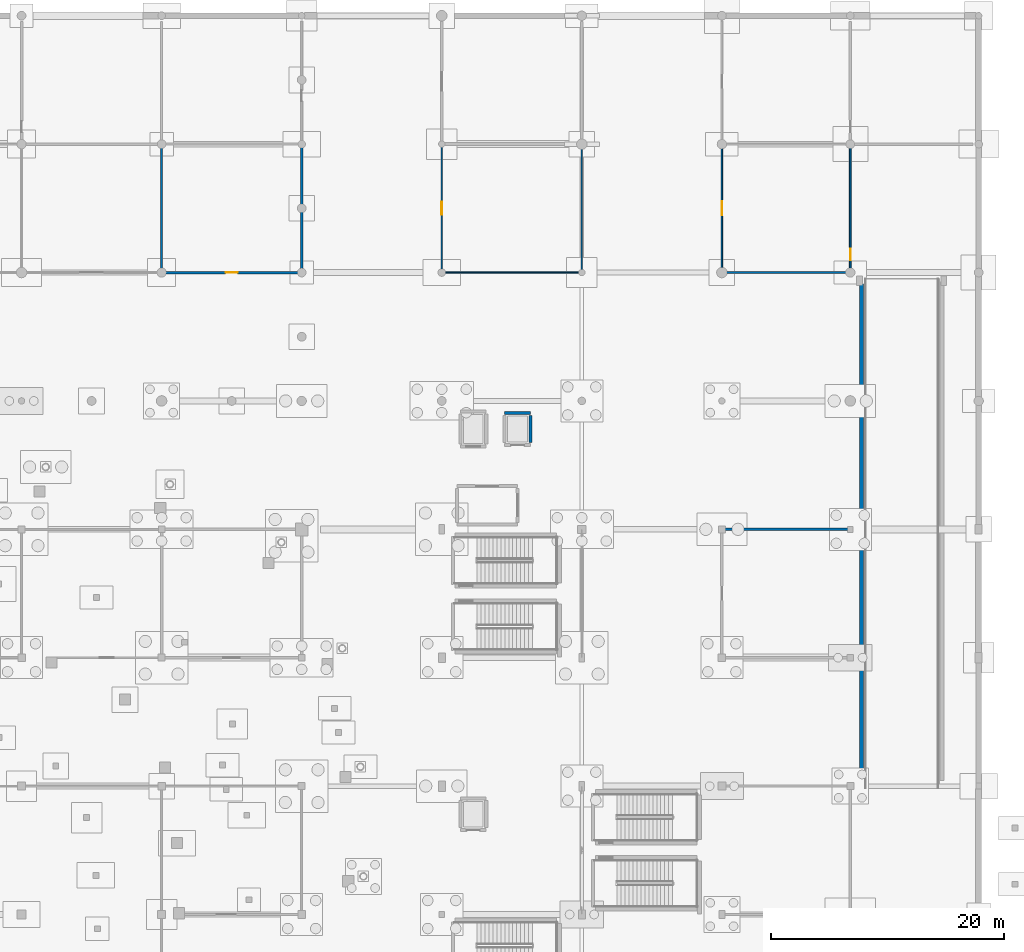
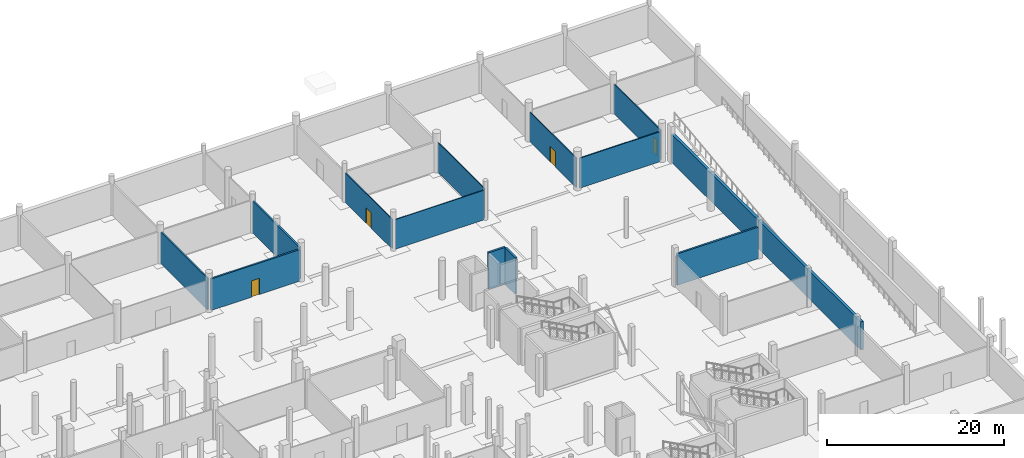
# One storey, part 40 of 60: 13 walls, 4 doors, 4 openings.
"""IFC4 building model written with IfcOpenShell, lengths in metres."""

from ifc_helpers import new_model, si_unit, direction, frame, frame_2d, origin, place, context, subcontext, project, spatial, rectangle, extrude, material, layer, layer_set, type_object, element, fill, save


model = new_model("IFC4")

# Units and contexts
model_context = context("Model", 3, precision=1e-05, world=origin(), true_north=direction((0.0, 1.0)))
body_context = subcontext(model_context, "Body", "Model", "MODEL_VIEW")
ifc_project = project(units=[si_unit("LENGTHUNIT", "METRE"), si_unit("AREAUNIT", "SQUARE_METRE"), si_unit("VOLUMEUNIT", "CUBIC_METRE"), si_unit("PLANEANGLEUNIT", "RADIAN"), si_unit("MASSUNIT", "GRAM", prefix="KILO")], contexts=[model_context])

# Site, building, storey
site_placement = place(None, origin())
site = spatial("IfcSite", under=ifc_project, at=site_placement, CompositionType="ELEMENT")
building_placement = place(site_placement, origin())
building = spatial("IfcBuilding", under=site, at=building_placement, Name="Luwafu Chhajja Arena", CompositionType="ELEMENT")
storey_placement = place(building_placement, frame((0.0, 0.0, -5.39990234375)))
storey = spatial("IfcBuildingStorey", under=building, at=storey_placement, Name="B1", CompositionType="ELEMENT", Elevation=-5.39990234375)

# Walls
ifc_material_1 = material(Name="Concrete blockwork masonry", Category="masonry")
ifc_layer_1 = layer(ifc_material_1, 0.239990234375, Name="Concrete blockwork masonry")
ifc_layer_set_1 = layer_set([ifc_layer_1], Name="Concrete blockwork masonry")
wall_type_1 = type_object("IfcWallType", Name="Compartment Masonry Partition 240", PredefinedType="PARTITIONING", material=ifc_layer_set_1)
wall_1_placement = place(storey_placement, frame((176.219970703125, 88.0, 0.0), z_axis=(0.0, 0.0, 1.0), x_axis=(1.0, 0.0, 0.0)))
element("IfcWall", 1, at=wall_1_placement, inside=storey, type_object=wall_type_1, Name="B1 Internal Partition 0092", PredefinedType="PARTITIONING", context=body_context, shape_type="SweptSolid", body=[
    extrude(rectangle(XDim=10.570068359375, YDim=0.239990234375, at=frame_2d((5.28515625, 0.0))), origin(), (0.0, 0.0, 1.0), 4.329833984375),
])
ifc_material_2 = material(Name="Lightweight blockwork partition", Category="masonry")
ifc_layer_2 = layer(ifc_material_2, 0.139892578125, Name="Lightweight blockwork partition")
ifc_layer_set_2 = layer_set([ifc_layer_2], Name="Lightweight blockwork partition")
wall_type_2 = type_object("IfcWallType", Name="Concourse Kiosk Partition 140", PredefinedType="PARTITIONING", material=ifc_layer_set_2)
wall_2_placement = place(storey_placement, frame((176.219970703125, 110.0, 0.0), z_axis=(0.0, 0.0, 1.0), x_axis=(1.0, 0.0, 0.0)))
element("IfcWall", 2, at=wall_2_placement, inside=storey, type_object=wall_type_2, Name="B1 Internal Partition 0093", PredefinedType="PARTITIONING", context=body_context, shape_type="SweptSolid", body=[
    extrude(rectangle(XDim=10.56005859375, YDim=0.139892578125, at=frame_2d((5.280029296875, 0.0))), origin(), (0.0, 0.0, 1.0), 4.1298828125),
])

# Wall, opening, door
wall_3_placement = place(storey_placement, frame((187.0, 110.219970703125, 0.0), z_axis=(0.0, 0.0, 1.0), x_axis=(0.0, 1.0, 0.0)))
wall_3 = element("IfcWall", 3, at=wall_3_placement, inside=storey, type_object=wall_type_2, Name="B1 Internal Partition 0137", PredefinedType="PARTITIONING", context=body_context, shape_type="SweptSolid", body=[
    extrude(rectangle(XDim=10.56005859375, YDim=0.139892578125, at=frame_2d((5.280029296875, 0.0))), origin(), (0.0, 0.0, 1.0), 4.079833984375),
])
opening_1_placement = place(wall_3_placement, frame((0.840087890625, 0.0, 0.0)))
opening_1 = element("IfcOpeningElement", 4, at=opening_1_placement, cuts=wall_3, Name="Opening DR-22", PredefinedType="OPENING", context=body_context, shape_type="SweptSolid", body=[
    extrude(rectangle(XDim=0.9599609375, YDim=2.14990234375, at=frame_2d((0.47998046875, 1.074951171875))), frame((0.0, 0.079833984375, 0.0), z_axis=(0.0, -1.0, 0.0), x_axis=(1.0, 0.0, 0.0)), (0.0, 0.0, 1.0), 0.159912109375),
])
ifc_material_3 = material(Name="Hardwood flush office door", Category="wood")
door_type_1 = type_object("IfcDoorType", Name="DR-22", OperationType="NOTDEFINED", PredefinedType="DOOR", material=ifc_material_3)
door_1_placement = place(opening_1_placement, origin())
door_1 = element("IfcDoor", 5, at=door_1_placement, inside=storey, type_object=door_type_1, Name="B1 Interior Door B1-D080", OperationType="SINGLE_SWING_RIGHT", OverallHeight=2.14990234375, OverallWidth=0.9599609375, PredefinedType="DOOR", context=body_context, shape_type="SweptSolid", body=[
    extrude(rectangle(XDim=0.9599609375, YDim=2.14990234375, at=frame_2d((0.47998046875, 1.074951171875))), frame((0.0, 0.02490234375, 0.0), z_axis=(0.0, -1.0, 0.0), x_axis=(1.0, 0.0, 0.0)), (0.0, 0.0, 1.0), 0.050048828125),
])
fill(opening_1, door_1)

# Walls
ifc_material_4 = material(Name="Gypsum plasterboard partition")
ifc_layer_3 = layer(ifc_material_4, 0.10009765625, Name="Gypsum plasterboard partition")
ifc_layer_set_3 = layer_set([ifc_layer_3], Name="Gypsum plasterboard partition")
wall_type_3 = type_object("IfcWallType", Name="Drywall Lining Partition 100", PredefinedType="PARTITIONING", material=ifc_layer_set_3)
wall_4_placement = place(storey_placement, frame((152.219970703125, 110.0, 0.0), z_axis=(0.0, 0.0, 1.0), x_axis=(1.0, 0.0, 0.0)))
element("IfcWall", 6, at=wall_4_placement, inside=storey, type_object=wall_type_3, Name="B1 Internal Partition 0080", PredefinedType="PARTITIONING", context=body_context, shape_type="SweptSolid", body=[
    extrude(rectangle(XDim=11.56005859375, YDim=0.10009765625, at=frame_2d((5.780029296875, 0.0))), origin(), (0.0, 0.0, 1.0), 4.079833984375),
])
wall_5_placement = place(storey_placement, frame((164.0, 110.219970703125, 0.0), z_axis=(0.0, 0.0, 1.0), x_axis=(0.0, 1.0, 0.0)))
element("IfcWall", 7, at=wall_5_placement, inside=storey, type_object=wall_type_3, Name="B1 Internal Partition 0081", PredefinedType="PARTITIONING", context=body_context, shape_type="SweptSolid", body=[
    extrude(rectangle(XDim=10.56005859375, YDim=0.10009765625, at=frame_2d((5.280029296875, 0.0))), origin(), (0.0, 0.0, 1.0), 4.1298828125),
])
ifc_layer_4 = layer(ifc_material_1, 0.179931640625, Name="Concrete blockwork masonry")
ifc_layer_set_4 = layer_set([ifc_layer_4], Name="Concrete blockwork masonry")
wall_type_4 = type_object("IfcWallType", Name="Hospitality Suite Partition 180", PredefinedType="PARTITIONING", material=ifc_layer_set_4)
wall_6_placement = place(storey_placement, frame((128.0, 110.219970703125, 0.0), z_axis=(0.0, 0.0, 1.0), x_axis=(0.0, 1.0, 0.0)))
element("IfcWall", 8, at=wall_6_placement, inside=storey, type_object=wall_type_4, Name="B1 Internal Partition 0128", PredefinedType="PARTITIONING", context=body_context, shape_type="SweptSolid", body=[
    extrude(rectangle(XDim=10.56005859375, YDim=0.179931640625, at=frame_2d((5.280029296875, 0.0))), origin(), (0.0, 0.0, 1.0), 4.346435546875),
])

# Wall, opening, door
ifc_material_5 = material(Name="Acoustic metal-stud gypsum board")
ifc_layer_5 = layer(ifc_material_5, 0.1201171875, Name="Acoustic metal-stud gypsum board")
ifc_layer_set_5 = layer_set([ifc_layer_5], Name="Acoustic metal-stud gypsum board")
wall_type_5 = type_object("IfcWallType", Name="Internal Room Partition 120", PredefinedType="PARTITIONING", material=ifc_layer_set_5)
wall_7_placement = place(storey_placement, frame((152.0, 110.219970703125, 0.0), z_axis=(0.0, 0.0, 1.0), x_axis=(0.0, 1.0, 0.0)))
wall_7 = element("IfcWall", 9, at=wall_7_placement, inside=storey, type_object=wall_type_5, Name="B1 Internal Partition 0076", PredefinedType="PARTITIONING", context=body_context, shape_type="SweptSolid", body=[
    extrude(rectangle(XDim=10.56005859375, YDim=0.1201171875, at=frame_2d((5.280029296875, 0.0))), origin(), (0.0, 0.0, 1.0), 4.079833984375),
])
opening_2_placement = place(wall_7_placement, frame((4.72998046875, 0.0, 0.0)))
opening_2 = element("IfcOpeningElement", 10, at=opening_2_placement, cuts=wall_7, Name="Opening DR-20", PredefinedType="OPENING", context=body_context, shape_type="SweptSolid", body=[
    extrude(rectangle(XDim=1.10009765625, YDim=2.10009765625, at=frame_2d((0.550048828125, 1.050048828125))), frame((0.0, 0.070068359375, 0.0), z_axis=(0.0, -1.0, 0.0), x_axis=(1.0, 0.0, 0.0)), (0.0, 0.0, 1.0), 0.14013671875),
])
ifc_material_6 = material(Name="Hygienic laminate single leaf")
door_type_2 = type_object("IfcDoorType", Name="DR-20", OperationType="NOTDEFINED", PredefinedType="DOOR", material=ifc_material_6)
door_2_placement = place(opening_2_placement, origin())
door_2 = element("IfcDoor", 11, at=door_2_placement, inside=storey, type_object=door_type_2, Name="B1 Interior Door B1-D062", OperationType="SINGLE_SWING_LEFT", OverallHeight=2.10009765625, OverallWidth=1.10009765625, PredefinedType="DOOR", context=body_context, shape_type="SweptSolid", body=[
    extrude(rectangle(XDim=1.10009765625, YDim=2.10009765625, at=frame_2d((0.550048828125, 1.050048828125))), frame((0.0, 0.02490234375, 0.0), z_axis=(0.0, -1.0, 0.0), x_axis=(1.0, 0.0, 0.0)), (0.0, 0.0, 1.0), 0.050048828125),
])
fill(opening_2, door_2)

wall_8_placement = place(storey_placement, frame((176.0, 110.219970703125, 0.0), z_axis=(0.0, 0.0, 1.0), x_axis=(0.0, 1.0, 0.0)))
wall_8 = element("IfcWall", 12, at=wall_8_placement, inside=storey, type_object=wall_type_5, Name="B1 Internal Partition 0086", PredefinedType="PARTITIONING", context=body_context, shape_type="SweptSolid", body=[
    extrude(rectangle(XDim=10.56005859375, YDim=0.1201171875, at=frame_2d((5.280029296875, 0.0))), origin(), (0.0, 0.0, 1.0), 4.079833984375),
])
opening_3_placement = place(wall_8_placement, frame((4.68994140625, 0.0, 0.0)))
opening_3 = element("IfcOpeningElement", 13, at=opening_3_placement, cuts=wall_8, Name="Opening DR-21", PredefinedType="OPENING", context=body_context, shape_type="SweptSolid", body=[
    extrude(rectangle(XDim=1.179931640625, YDim=2.14990234375, at=frame_2d((0.58984375, 1.074951171875))), frame((0.0, 0.070068359375, 0.0), z_axis=(0.0, -1.0, 0.0), x_axis=(1.0, 0.0, 0.0)), (0.0, 0.0, 1.0), 0.14013671875),
])
door_type_3 = type_object("IfcDoorType", Name="DR-21", OperationType="NOTDEFINED", PredefinedType="DOOR", material=ifc_material_6)
door_3_placement = place(opening_3_placement, origin())
door_3 = element("IfcDoor", 14, at=door_3_placement, inside=storey, type_object=door_type_3, Name="B1 Interior Door B1-D068", OperationType="SINGLE_SWING_LEFT", OverallHeight=2.14990234375, OverallWidth=1.179931640625, PredefinedType="DOOR", context=body_context, shape_type="SweptSolid", body=[
    extrude(rectangle(XDim=1.179931640625, YDim=2.14990234375, at=frame_2d((0.58984375, 1.074951171875))), frame((0.0, 0.02490234375, 0.0), z_axis=(0.0, -1.0, 0.0), x_axis=(1.0, 0.0, 0.0)), (0.0, 0.0, 1.0), 0.050048828125),
])
fill(opening_3, door_3)

# Walls
ifc_material_7 = material(Name="Concrete C35/45", Category="concrete")
ifc_layer_6 = layer(ifc_material_7, 0.260009765625, Name="Concrete C35/45")
ifc_layer_set_6 = layer_set([ifc_layer_6], Name="Concrete C35/45")
wall_type_6 = type_object("IfcWallType", Name="Lift and Riser Shaft Wall 260", PredefinedType="SOLIDWALL", material=ifc_layer_set_6)
wall_9_placement = place(storey_placement, frame((157.389892578125, 97.9599609375, 0.0), z_axis=(0.0, 0.0, 1.0), x_axis=(1.0, 0.0, 0.0)))
element("IfcWall", 15, at=wall_9_placement, inside=storey, type_object=wall_type_6, Name="B1 Lift LF-08 Shaft Wall N", PredefinedType="SOLIDWALL", context=body_context, shape_type="SweptSolid", body=[
    extrude(rectangle(XDim=2.22021484375, YDim=0.260009765625, at=frame_2d((1.110107421875, 0.0))), origin(), (0.0, 0.0, 1.0), 5.039794921875),
])
wall_10_placement = place(storey_placement, frame((159.610107421875, 95.43994140625, 0.0), z_axis=(0.0, 0.0, 1.0), x_axis=(0.0, 1.0, 0.0)))
element("IfcWall", 16, at=wall_10_placement, inside=storey, type_object=wall_type_6, Name="B1 Lift LF-08 Shaft Wall E", PredefinedType="SOLIDWALL", context=body_context, shape_type="SweptSolid", body=[
    extrude(rectangle(XDim=2.320068359375, YDim=0.260009765625, at=frame_2d((1.16015625, 0.0))), origin(), (0.0, 0.0, 1.0), 5.039794921875),
])

# Wall, opening, door
ifc_layer_7 = layer(ifc_material_1, 0.219970703125, Name="Concrete blockwork masonry")
ifc_layer_set_7 = layer_set([ifc_layer_7], Name="Concrete blockwork masonry")
wall_type_7 = type_object("IfcWallType", Name="Protected Corridor Partition 220", PredefinedType="PARTITIONING", material=ifc_layer_set_7)
wall_11_placement = place(storey_placement, frame((128.219970703125, 110.0, 0.0), z_axis=(0.0, 0.0, 1.0), x_axis=(1.0, 0.0, 0.0)))
wall_11 = element("IfcWall", 17, at=wall_11_placement, inside=storey, type_object=wall_type_7, Name="B1 Internal Partition 0071", PredefinedType="PARTITIONING", context=body_context, shape_type="SweptSolid", body=[
    extrude(rectangle(XDim=11.56005859375, YDim=0.219970703125, at=frame_2d((5.780029296875, 0.0))), origin(), (0.0, 0.0, 1.0), 4.346435546875),
])
opening_4_placement = place(wall_11_placement, frame((5.27001953125, 0.0, 0.0)))
opening_4 = element("IfcOpeningElement", 18, at=opening_4_placement, cuts=wall_11, Name="Opening DR-13", PredefinedType="OPENING", context=body_context, shape_type="SweptSolid", body=[
    extrude(rectangle(XDim=1.02001953125, YDim=2.25, at=frame_2d((0.510009765625, 1.125))), frame((0.0, 0.119873046875, 0.0), z_axis=(0.0, -1.0, 0.0), x_axis=(1.0, 0.0, 0.0)), (0.0, 0.0, 1.0), 0.239990234375),
])
ifc_material_8 = material(Name="Veneered hardwood acoustic leaf", Category="wood")
door_type_4 = type_object("IfcDoorType", Name="DR-13", OperationType="NOTDEFINED", PredefinedType="DOOR", material=ifc_material_8)
door_4_placement = place(opening_4_placement, origin())
door_4 = element("IfcDoor", 19, at=door_4_placement, inside=storey, type_object=door_type_4, Name="B1 Interior Door B1-D058", OperationType="SINGLE_SWING_RIGHT", OverallHeight=2.25, OverallWidth=1.02001953125, PredefinedType="DOOR", context=body_context, shape_type="SweptSolid", body=[
    extrude(rectangle(XDim=1.02001953125, YDim=2.25, at=frame_2d((0.510009765625, 1.125))), frame((0.0, 0.02490234375, 0.0), z_axis=(0.0, -1.0, 0.0), x_axis=(1.0, 0.0, 0.0)), (0.0, 0.0, 1.0), 0.050048828125),
])
fill(opening_4, door_4)

# Walls
wall_12_placement = place(storey_placement, frame((140.0, 110.219970703125, 0.0), z_axis=(0.0, 0.0, 1.0), x_axis=(0.0, 1.0, 0.0)))
element("IfcWall", 20, at=wall_12_placement, inside=storey, type_object=wall_type_7, Name="B1 Internal Partition 0072", PredefinedType="PARTITIONING", context=body_context, shape_type="SweptSolid", body=[
    extrude(rectangle(XDim=10.56005859375, YDim=0.219970703125, at=frame_2d((5.280029296875, 0.0))), origin(), (0.0, 0.0, 1.0), 4.40966796875),
])
ifc_material_9 = material(Name="Concrete C40/50", Category="concrete")
ifc_layer_8 = layer(ifc_material_9, 0.35009765625, Name="Concrete C40/50")
ifc_layer_set_8 = layer_set([ifc_layer_8], Name="Concrete C40/50")
wall_type_8 = type_object("IfcWallType", Name="RC Core Shear Wall 350", PredefinedType="SOLIDWALL", material=ifc_layer_set_8)
wall_13_placement = place(storey_placement, frame((187.949951171875, 66.5, 0.0), z_axis=(0.0, 0.0, 1.0), x_axis=(0.0, 1.0, 0.0)))
element("IfcWall", 21, at=wall_13_placement, inside=storey, type_object=wall_type_8, Name="B1 Vehicle Ramp R1 Retaining Wall W", PredefinedType="SOLIDWALL", context=body_context, shape_type="SweptSolid", body=[
    extrude(rectangle(XDim=42.699951171875, YDim=0.35009765625, at=frame_2d((21.35009765625, 0.0))), origin(), (0.0, 0.0, 1.0), 3.8798828125),
])

save(model, "model.ifc")
